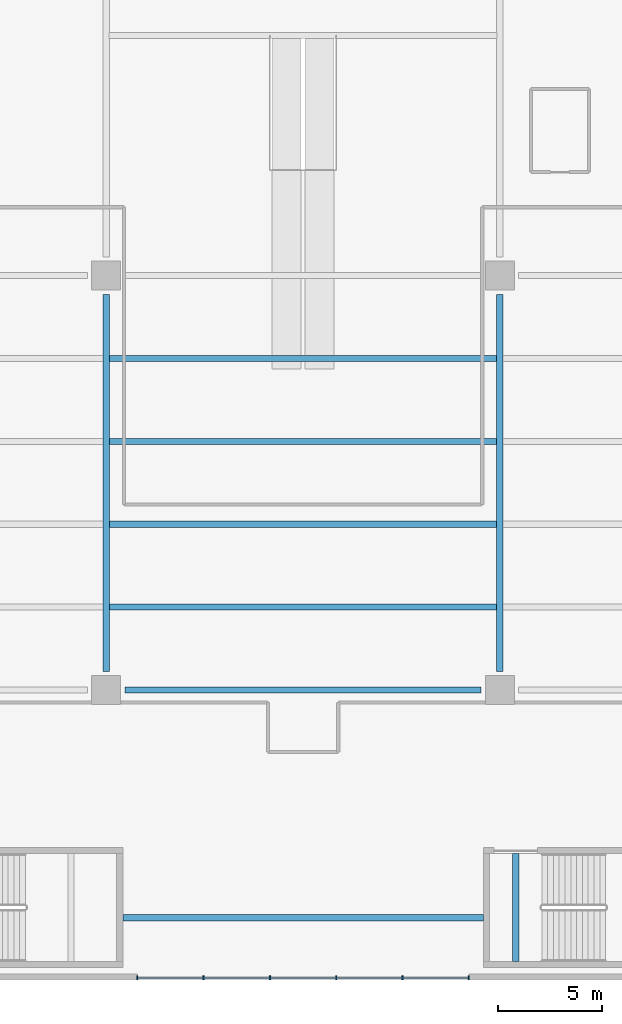
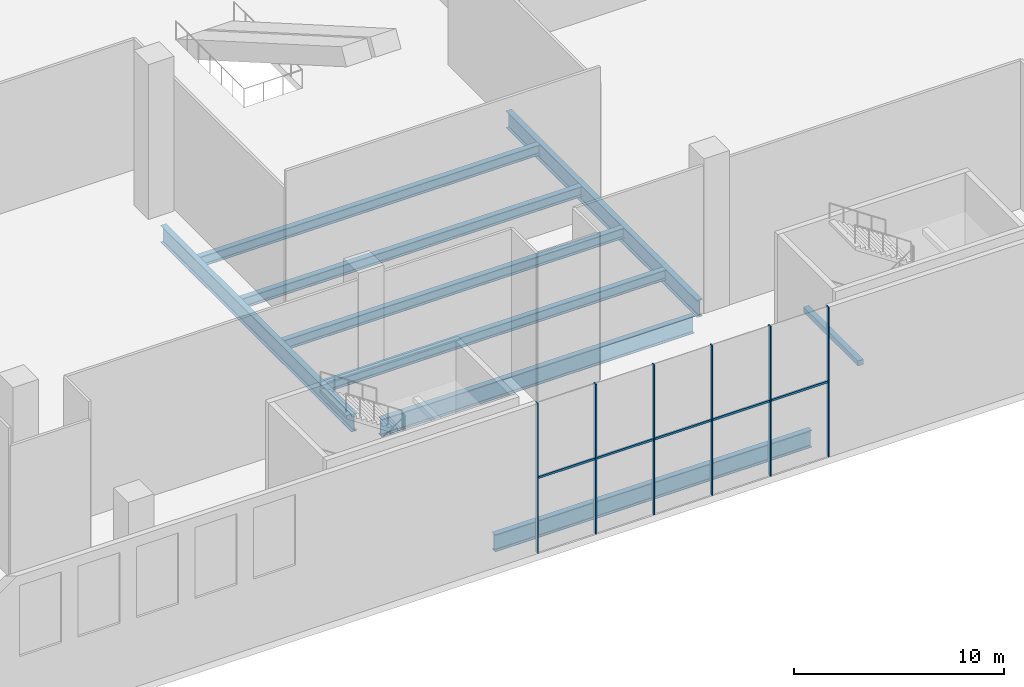
# One storey, part 2 of 27: 9 beams, 7 members, 1 element without a shape of its own.
"""IFC4 building model written with IfcOpenShell, lengths in metres."""

import ifcopenshell
import ifcopenshell.guid

model = None  # the IFC model being written
_history = None  # IfcOwnerHistory: only IFC2X3 demands one
_inside = {}  # id of a spatial element -> (the spatial element, [elements in it])
_under = {}  # id of a project, library or spatial element -> (it, [spatial elements below it])
_declared = {}  # id of a project -> (the project, [libraries it declares])
_typed = {}  # id of a type object -> (the type object, [elements of that type])
_made_of = {}  # id of a material, layer set ... -> (it, [elements and type objects made of it])


def new_model(schema):
    """Start an empty IFC model of exactly this schema.

    Asked for "IFC4X3", IfcOpenShell would pick the latest addendum, in which some entities
    have other attributes; the version numbers below select the first issue.
    IFC2X3 requires an IfcOwnerHistory on every rooted entity: one is made here for all.
    """
    global model, _history
    if schema == "IFC4X3":
        model = ifcopenshell.file(schema_version=(4, 3, 0, 0))
    else:
        model = ifcopenshell.file(schema=schema)
    _inside.clear()
    _under.clear()
    _declared.clear()
    _typed.clear()
    _made_of.clear()
    _history = None
    if model.schema == "IFC2X3":
        org = make("IfcOrganization", Name="unknown")
        user = make(
            "IfcPersonAndOrganization",
            ThePerson=make("IfcPerson", FamilyName="unknown"),
            TheOrganization=org,
        )
        app = make(
            "IfcApplication",
            ApplicationDeveloper=org,
            Version="unknown",
            ApplicationFullName="unknown",
            ApplicationIdentifier="unknown",
        )
        _history = make(
            "IfcOwnerHistory",
            OwningUser=user,
            OwningApplication=app,
            ChangeAction="ADDED",
            CreationDate=0,
        )
    return model


def make(cls, **values):
    """One entity of the class cls with the attributes given. An attribute that is None is left unset."""
    return model.create_entity(
        cls, **{name: value for name, value in values.items() if value is not None}
    )


def rooted(cls, **values):
    """An entity with a GlobalId (a new one), such as an element, a storey or a relation."""
    return make(cls, GlobalId=ifcopenshell.guid.new(), OwnerHistory=_history, **values)


def si_unit(unit_type, name, prefix=None):
    """IfcSIUnit, for example si_unit("LENGTHUNIT", "METRE", prefix="MILLI")."""
    return make("IfcSIUnit", UnitType=unit_type, Prefix=prefix, Name=name)


def assignment(units):
    """IfcUnitAssignment: the units of a project."""
    return None if units is None else make("IfcUnitAssignment", Units=units)


def point(xyz):
    """IfcCartesianPoint."""
    return None if xyz is None else make("IfcCartesianPoint", Coordinates=xyz)


def direction(xyz):
    """IfcDirection."""
    return None if xyz is None else make("IfcDirection", DirectionRatios=xyz)


def frame(location, z_axis=None, x_axis=None):
    """IfcAxis2Placement3D, a coordinate frame: its origin and axes. An axis left out is left unset."""
    return make(
        "IfcAxis2Placement3D",
        Location=point(location),
        Axis=direction(z_axis),
        RefDirection=direction(x_axis),
    )


def frame_2d(location, x_axis=None):
    """IfcAxis2Placement2D, a coordinate frame in the plane: its origin and x axis."""
    return make(
        "IfcAxis2Placement2D", Location=point(location), RefDirection=direction(x_axis)
    )


def origin():
    """The frame at (0, 0, 0) with its axes left unset."""
    return frame((0.0, 0.0, 0.0))


def origin_2d():
    """The frame at (0, 0) in the plane with its x axis left unset."""
    return frame_2d((0.0, 0.0))


def place(relative_to, where):
    """IfcLocalPlacement: puts the frame where relative to a parent placement (None: the world)."""
    return make(
        "IfcLocalPlacement", PlacementRelTo=relative_to, RelativePlacement=where
    )


def context(
    kind, dimensions, precision=None, world=None, true_north=None, identifier=None
):
    """IfcGeometricRepresentationContext, for example the 3D "Model" context."""
    return make(
        "IfcGeometricRepresentationContext",
        ContextIdentifier=identifier,
        ContextType=kind,
        CoordinateSpaceDimension=dimensions,
        Precision=precision,
        WorldCoordinateSystem=world,
        TrueNorth=true_north,
    )


def subcontext(parent, identifier, kind, view, scale=None):
    """IfcGeometricRepresentationSubContext, for example "Body" below "Model"."""
    return make(
        "IfcGeometricRepresentationSubContext",
        ContextIdentifier=identifier,
        ContextType=kind,
        ParentContext=parent,
        TargetScale=scale,
        TargetView=view,
    )


def project(units=None, contexts=None):
    """IfcProject with its units and contexts."""
    return rooted(
        "IfcProject",
        Name="project",
        RepresentationContexts=contexts,
        UnitsInContext=assignment(units),
    )


def spatial(cls, under=None, at=None, **own):
    """A site, building, storey or space (cls), placed at a placement, below another one or the project."""
    s = rooted(cls, ObjectPlacement=at, **own)
    if under is not None:
        _under.setdefault(under.id(), (under, []))[1].append(s)
    return s


def profile(cls, at=None, kind="AREA", **sizes):
    """A parametric profile (cls). Its sizes go by their IFC names, for example OverallWidth=200.0."""
    return make(cls, ProfileType=kind, Position=at, **sizes)


def rectangle(**sizes):
    """IfcRectangleProfileDef."""
    return profile("IfcRectangleProfileDef", **sizes)


def i_section(**sizes):
    """IfcIShapeProfileDef."""
    return profile("IfcIShapeProfileDef", **sizes)


def extrude(swept, where, along, depth):
    """IfcExtrudedAreaSolid: the profile swept, set in the frame where, extruded along a direction by depth."""
    return make(
        "IfcExtrudedAreaSolid",
        SweptArea=swept,
        Position=where,
        ExtrudedDirection=direction(along),
        Depth=depth,
    )


def shape(context_of_items, identifier, shape_type, items):
    """IfcShapeRepresentation: the items that make up one representation, for example the "Body"."""
    return make(
        "IfcShapeRepresentation",
        ContextOfItems=context_of_items,
        RepresentationIdentifier=identifier,
        RepresentationType=shape_type,
        Items=items,
    )


def material(Name=None, Category=None):
    """IfcMaterial."""
    return make("IfcMaterial", Name=Name, Category=Category)


def material_profile(
    of_material, cross_section, Name=None, Category=None, Priority=None
):
    """IfcMaterialProfile: a cross section and its material."""
    return make(
        "IfcMaterialProfile",
        Name=Name,
        Material=of_material,
        Profile=cross_section,
        Priority=Priority,
        Category=Category,
    )


def profile_set(profiles, Name=None, composite=None):
    """IfcMaterialProfileSet."""
    return make(
        "IfcMaterialProfileSet",
        Name=Name,
        MaterialProfiles=profiles,
        CompositeProfile=composite,
    )


def made_of(thing, what):
    """Note that an element or type object is made of a material, layer set ...; save() writes the relation."""
    if what is not None:
        _made_of.setdefault(what.id(), (what, []))[1].append(thing)
    return thing


def type_object(cls, material=None, **own):
    """A type object (cls), such as IfcWallType, which elements share."""
    return made_of(rooted(cls, **own), material)


def element(
    cls,
    number,
    at=None,
    inside=None,
    cuts=None,
    type_object=None,
    material=None,
    context=None,
    identifier="Body",
    shape_type=None,
    held_by="IfcProductDefinitionShape",
    body=None,
    shapes=None,
    **own,
):
    """One element of the class cls, such as IfcWall. Its Tag is "e" and its number.

    at: its placement. inside: the storey or other place that contains it. cuts: it is an
    opening in that element (IfcRelVoidsElement). A single representation is given by context,
    identifier, shape_type and body (its items); several are given by shapes. held_by: the class
    of the entity that holds the representations. save() writes the other relations.
    """
    e = rooted(cls, Tag="e%d" % number, ObjectPlacement=at, **own)
    if body is not None:
        shapes = [shape(context, identifier, shape_type, body)]
    if shapes is not None:
        e.Representation = make(held_by, Representations=shapes)
    if inside is not None:
        _inside.setdefault(inside.id(), (inside, []))[1].append(e)
    if cuts is not None:
        rooted(
            "IfcRelVoidsElement", RelatingBuildingElement=cuts, RelatedOpeningElement=e
        )
    if type_object is not None:
        _typed.setdefault(type_object.id(), (type_object, []))[1].append(e)
    return made_of(e, material)


def aggregate(whole, parts):
    """IfcRelAggregates: a whole, such as a stair, and the parts it consists of."""
    return rooted("IfcRelAggregates", RelatingObject=whole, RelatedObjects=parts)


def save(model, path):
    """Write the relations noted so far, then the file.

    IfcRelAggregates (storeys below a building ...), IfcRelContainedInSpatialStructure (elements
    in a storey), IfcRelDefinesByType, IfcRelAssociatesMaterial and IfcRelDeclares: one each for
    every whole, place, type object, material and project.
    """
    for whole, parts in _under.values():
        aggregate(whole, parts)
    for where, things in _inside.values():
        rooted(
            "IfcRelContainedInSpatialStructure",
            RelatedElements=things,
            RelatingStructure=where,
        )
    for kind, things in _typed.values():
        rooted("IfcRelDefinesByType", RelatedObjects=things, RelatingType=kind)
    for what, things in _made_of.values():
        rooted("IfcRelAssociatesMaterial", RelatedObjects=things, RelatingMaterial=what)
    for by, libraries in _declared.values():
        rooted("IfcRelDeclares", RelatingContext=by, RelatedDefinitions=libraries)
    model.write(path)


model = new_model("IFC4")

# Units and contexts
model_context = context("Model", 3, precision=1e-05, world=origin(), true_north=direction((0.0, 1.0)))
body_context = subcontext(model_context, "Body", "Model", "MODEL_VIEW")
ifc_project = project(units=[si_unit("LENGTHUNIT", "METRE"), si_unit("AREAUNIT", "SQUARE_METRE"), si_unit("VOLUMEUNIT", "CUBIC_METRE"), si_unit("PLANEANGLEUNIT", "RADIAN"), si_unit("MASSUNIT", "GRAM", prefix="KILO")], contexts=[model_context])

# Site, building, storey
site_placement = place(None, origin())
site = spatial("IfcSite", under=ifc_project, at=site_placement, CompositionType="ELEMENT")
building_placement = place(site_placement, origin())
building = spatial("IfcBuilding", under=site, at=building_placement, Name="Tel Ilan Convention Tower", CompositionType="ELEMENT")
storey_placement = place(building_placement, frame((0.0, 0.0, 9.0)))
storey = spatial("IfcBuildingStorey", under=building, at=storey_placement, Name="L01", CompositionType="ELEMENT", Elevation=9.0)

# Curtain wall, members
ifc_material_1 = material(Name="Aluminium, bronze anodised", Category="aluminium")
curtain_wall_type = type_object("IfcCurtainWallType", Name="CW3 FOYER CURTAIN WALL, CLEAR GLASS", PredefinedType="NOTDEFINED", material=ifc_material_1)
curtain_wall_placement = place(storey_placement, origin())
curtain_wall = element("IfcCurtainWall", 1, at=curtain_wall_placement, inside=storey, type_object=curtain_wall_type, Name="Curtain wall CW3-04.F01", PredefinedType="NOTDEFINED")
ifc_material_2 = material(Name="Aluminium, bronze anodised", Category="aluminium")
ifc_material_profile_1 = material_profile(ifc_material_2, rectangle(XDim=0.06005859375, YDim=0.199951171875, at=origin_2d()), Name="CW MULLION 60x200")
ifc_profile_set_1 = profile_set([ifc_material_profile_1], Name="Aluminium, bronze anodised")
member_type_1 = type_object("IfcMemberType", Name="CW MULLION 60x200", PredefinedType="MULLION", material=ifc_profile_set_1)
member_1_placement = place(storey_placement, frame((-8.0, -81.89990234375, 0.0), z_axis=(0.0, 0.0, 1.0), x_axis=(1.0, 0.0, 0.0)))
member_1 = element("IfcMember", 2, at=member_1_placement, type_object=member_type_1, Name="Mullion", PredefinedType="MULLION", context=body_context, shape_type="SweptSolid", body=[
    extrude(rectangle(XDim=0.06005859375, YDim=0.199951171875, at=origin_2d()), origin(), (0.0, 0.0, 1.0), 8.719970703125),
])
member_2_placement = place(storey_placement, frame((-4.800048828125, -81.89990234375, 0.0), z_axis=(0.0, 0.0, 1.0), x_axis=(1.0, 0.0, 0.0)))
member_2 = element("IfcMember", 3, at=member_2_placement, type_object=member_type_1, Name="Mullion", PredefinedType="MULLION", context=body_context, shape_type="SweptSolid", body=[
    extrude(rectangle(XDim=0.06005859375, YDim=0.199951171875, at=origin_2d()), origin(), (0.0, 0.0, 1.0), 8.719970703125),
])
member_3_placement = place(storey_placement, frame((-1.60009765625, -81.89990234375, 0.0), z_axis=(0.0, 0.0, 1.0), x_axis=(1.0, 0.0, 0.0)))
member_3 = element("IfcMember", 4, at=member_3_placement, type_object=member_type_1, Name="Mullion", PredefinedType="MULLION", context=body_context, shape_type="SweptSolid", body=[
    extrude(rectangle(XDim=0.06005859375, YDim=0.199951171875, at=origin_2d()), origin(), (0.0, 0.0, 1.0), 8.719970703125),
])
member_4_placement = place(storey_placement, frame((1.60009765625, -81.89990234375, 0.0), z_axis=(0.0, 0.0, 1.0), x_axis=(1.0, 0.0, 0.0)))
member_4 = element("IfcMember", 5, at=member_4_placement, type_object=member_type_1, Name="Mullion", PredefinedType="MULLION", context=body_context, shape_type="SweptSolid", body=[
    extrude(rectangle(XDim=0.06005859375, YDim=0.199951171875, at=origin_2d()), origin(), (0.0, 0.0, 1.0), 8.719970703125),
])
member_5_placement = place(storey_placement, frame((4.800048828125, -81.89990234375, 0.0), z_axis=(0.0, 0.0, 1.0), x_axis=(1.0, 0.0, 0.0)))
member_5 = element("IfcMember", 6, at=member_5_placement, type_object=member_type_1, Name="Mullion", PredefinedType="MULLION", context=body_context, shape_type="SweptSolid", body=[
    extrude(rectangle(XDim=0.06005859375, YDim=0.199951171875, at=origin_2d()), origin(), (0.0, 0.0, 1.0), 8.719970703125),
])
member_6_placement = place(storey_placement, frame((8.0, -81.89990234375, 0.0), z_axis=(0.0, 0.0, 1.0), x_axis=(1.0, 0.0, 0.0)))
member_6 = element("IfcMember", 7, at=member_6_placement, type_object=member_type_1, Name="Mullion", PredefinedType="MULLION", context=body_context, shape_type="SweptSolid", body=[
    extrude(rectangle(XDim=0.06005859375, YDim=0.199951171875, at=origin_2d()), origin(), (0.0, 0.0, 1.0), 8.719970703125),
])
ifc_material_3 = material(Name="Aluminium, bronze anodised", Category="aluminium")
ifc_material_profile_2 = material_profile(ifc_material_3, rectangle(XDim=0.10009765625, YDim=0.1201171875, at=origin_2d()), Name="CW TRANSOM 100x120")
ifc_profile_set_2 = profile_set([ifc_material_profile_2], Name="Aluminium, bronze anodised")
member_type_2 = type_object("IfcMemberType", Name="CW TRANSOM 100x120", PredefinedType="USERDEFINED", material=ifc_profile_set_2)
member_7_placement = place(storey_placement, frame((-7.969970703125, -81.89990234375, 4.360107421875), z_axis=(1.0, 0.0, 0.0), x_axis=(0.0, 1.0, 0.0)))
member_7 = element("IfcMember", 8, at=member_7_placement, type_object=member_type_2, Name="Transom", ObjectType="TRANSOM", PredefinedType="USERDEFINED", context=body_context, shape_type="SweptSolid", body=[
    extrude(rectangle(XDim=0.10009765625, YDim=0.1201171875, at=origin_2d()), origin(), (0.0, 0.0, 1.0), 15.93994140625),
])
aggregate(curtain_wall, [member_1, member_2, member_3, member_4, member_5, member_6, member_7])

# Beams
ifc_material_4 = material(Name="Steel S355", Category="steel")
ifc_material_profile_3 = material_profile(ifc_material_4, i_section(OverallWidth=0.300048828125, OverallDepth=1.0, WebThickness=0.01904296875, FlangeThickness=0.035888671875, FilletRadius=0.030029296875, at=origin_2d()), Name="HEB 1000")
ifc_profile_set_3 = profile_set([ifc_material_profile_3], Name="Steel S355")
beam_type_1 = type_object("IfcBeamType", Name="Girder HEB 1000 Steel S355", PredefinedType="BEAM", material=ifc_profile_set_3)
beam_1_placement = place(storey_placement, frame((-8.60009765625, -68.0, -0.89990234375), z_axis=(1.0, 0.0, 0.0), x_axis=(0.0, 1.0, 0.0)))
element("IfcBeam", 9, at=beam_1_placement, inside=storey, type_object=beam_type_1, Name="L01 beam GX23-4", PredefinedType="BEAM", context=body_context, shape_type="SweptSolid", body=[
    extrude(i_section(OverallWidth=0.300048828125, OverallDepth=1.0, WebThickness=0.01904296875, FlangeThickness=0.035888671875, FilletRadius=0.030029296875, at=origin_2d()), origin(), (0.0, 0.0, 1.0), 17.2001953125),
])
for number, where, z_axis, x_axis, name in (
    (10, (-9.5, -67.10009765625, -0.89990234375), (0.0, 1.0, 0.0), (-1.0, 0.0, 0.0), "L01 beam GY32-3"),
    (11, (9.5, -67.10009765625, -0.89990234375), (0.0, 1.0, 0.0), (-1.0, 0.0, 0.0), "L01 beam GY42-3"),
):
    element("IfcBeam", number, at=place(storey_placement, frame(where, z_axis=z_axis, x_axis=x_axis)), inside=storey, type_object=beam_type_1, Name=name, PredefinedType="BEAM", context=body_context, shape_type="SweptSolid", body=[
        extrude(i_section(OverallWidth=0.300048828125, OverallDepth=1.0, WebThickness=0.01904296875, FlangeThickness=0.035888671875, FilletRadius=0.030029296875, at=origin_2d()), origin(), (0.0, 0.0, 1.0), 18.2001953125),
    ])
beam_2_placement = place(storey_placement, frame((-8.699951171875, -79.0, -0.89990234375), z_axis=(1.0, 0.0, 0.0), x_axis=(0.0, 1.0, 0.0)))
element("IfcBeam", 12, at=beam_2_placement, inside=storey, type_object=beam_type_1, Name="L01 beam GS21", PredefinedType="BEAM", context=body_context, shape_type="SweptSolid", body=[
    extrude(i_section(OverallWidth=0.300048828125, OverallDepth=1.0, WebThickness=0.01904296875, FlangeThickness=0.035888671875, FilletRadius=0.030029296875, at=origin_2d()), origin(), (0.0, 0.0, 1.0), 17.39990234375),
])
ifc_material_5 = material(Name="Steel S355", Category="steel")
ifc_material_profile_4 = material_profile(ifc_material_5, i_section(OverallWidth=0.300048828125, OverallDepth=0.60009765625, WebThickness=0.015380859375, FlangeThickness=0.030029296875, FilletRadius=0.027099609375, at=origin_2d()), Name="HEB 600")
ifc_profile_set_4 = profile_set([ifc_material_profile_4], Name="Steel S355")
beam_type_2 = type_object("IfcBeamType", Name="Joist HEB 600 Steel S355", PredefinedType="JOIST", material=ifc_profile_set_4)
for number, where, z_axis, x_axis, name in (
    (13, (-9.360107421875, -64.0, -0.699951171875), (1.0, 0.0, 0.0), (0.0, 1.0, 0.0), "L01 beam J3--68-1"),
    (14, (-9.360107421875, -60.0, -0.699951171875), (1.0, 0.0, 0.0), (0.0, 1.0, 0.0), "L01 beam J3--68-2"),
    (15, (-9.360107421875, -56.0, -0.699951171875), (1.0, 0.0, 0.0), (0.0, 1.0, 0.0), "L01 beam J3--68-3"),
    (16, (-9.360107421875, -52.0, -0.699951171875), (1.0, 0.0, 0.0), (0.0, 1.0, 0.0), "L01 beam J3--68-4"),
):
    element("IfcBeam", number, at=place(storey_placement, frame(where, z_axis=z_axis, x_axis=x_axis)), inside=storey, type_object=beam_type_2, Name=name, PredefinedType="JOIST", context=body_context, shape_type="SweptSolid", body=[
        extrude(i_section(OverallWidth=0.300048828125, OverallDepth=0.60009765625, WebThickness=0.015380859375, FlangeThickness=0.030029296875, FilletRadius=0.027099609375, at=origin_2d()), origin(), (0.0, 0.0, 1.0), 18.72021484375),
    ])
ifc_material_6 = material(Name="Concrete C40/50", Category="concrete")
ifc_material_profile_5 = material_profile(ifc_material_6, rectangle(XDim=0.300048828125, YDim=0.300048828125, at=origin_2d()), Name="RC 300x300")
ifc_profile_set_5 = profile_set([ifc_material_profile_5], Name="Concrete C40/50")
beam_type_3 = type_object("IfcBeamType", Name="Landing Beam RC 300x300 Concrete C40/50", PredefinedType="BEAM", material=ifc_profile_set_5)
beam_3_placement = place(storey_placement, frame((10.262939453125, -81.10009765625, 4.14990234375), z_axis=(0.0, 1.0, 0.0), x_axis=(-1.0, 0.0, 0.0)))
element("IfcBeam", 17, at=beam_3_placement, inside=storey, type_object=beam_type_3, Name="P3 landing beam L01.2", PredefinedType="BEAM", context=body_context, shape_type="SweptSolid", body=[
    extrude(rectangle(XDim=0.300048828125, YDim=0.300048828125, at=origin_2d()), origin(), (0.0, 0.0, 1.0), 5.2001953125),
])

save(model, "model.ifc")
